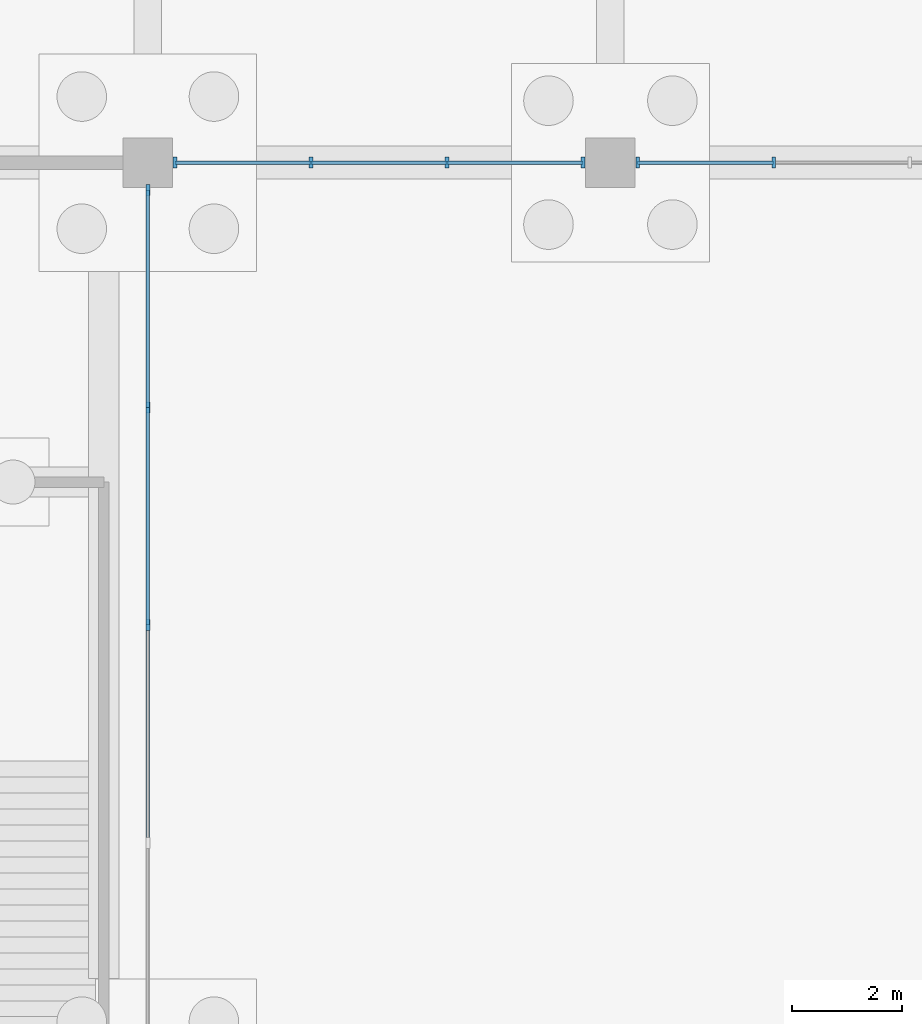
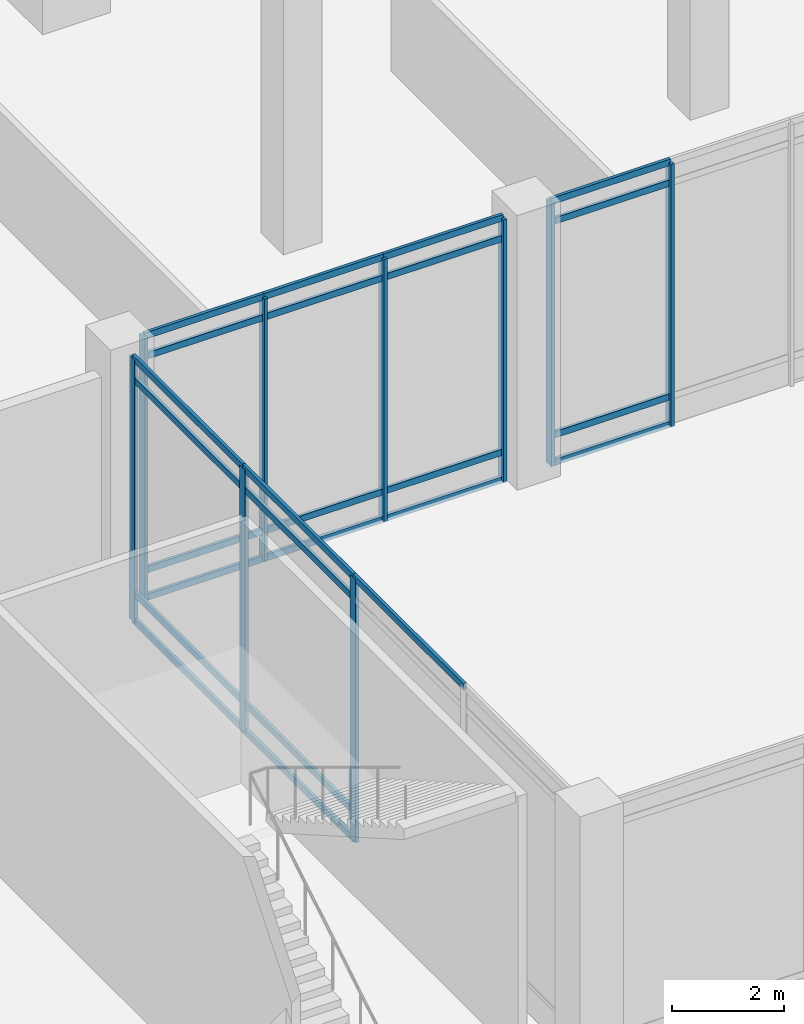
# One storey, part 17 of 72: 34 members, 3 elements without a shape of their own.
"""IFC4 building model written with IfcOpenShell, lengths in metres."""

from ifc_helpers import new_model, si_unit, direction, frame, origin, origin_2d, place, context, subcontext, project, spatial, rectangle, extrude, material, layer, layer_set, material_profile, profile_set, type_object, element, aggregate, save


model = new_model("IFC4")

# Units and contexts
model_context = context("Model", 3, precision=1e-05, world=origin(), true_north=direction((0.0, 1.0)))
body_context = subcontext(model_context, "Body", "Model", "MODEL_VIEW")
ifc_project = project(units=[si_unit("LENGTHUNIT", "METRE"), si_unit("AREAUNIT", "SQUARE_METRE"), si_unit("VOLUMEUNIT", "CUBIC_METRE"), si_unit("PLANEANGLEUNIT", "RADIAN"), si_unit("MASSUNIT", "GRAM", prefix="KILO")], contexts=[model_context])

# Site, building, storey
site_placement = place(None, origin())
site = spatial("IfcSite", under=ifc_project, at=site_placement, CompositionType="ELEMENT")
building_placement = place(site_placement, origin())
building = spatial("IfcBuilding", under=site, at=building_placement, Name="Qawsi Khor Wholesale Market", CompositionType="ELEMENT")
storey_placement = place(building_placement, origin())
storey = spatial("IfcBuildingStorey", under=building, at=storey_placement, Name="L00", CompositionType="ELEMENT", Elevation=0.0)

# Curtain wall, members
ifc_material = material(Name="Aluminium Anodised Bronze", Category="aluminium")
ifc_layer = layer(ifc_material, 0.179931640625, Name="Aluminium Anodised Bronze")
ifc_layer_set = layer_set([ifc_layer], Name="Aluminium Anodised Bronze")
curtain_wall_type = type_object("IfcCurtainWallType", Name="Atrium Full-Height Curtain Wall CW-02", PredefinedType="NOTDEFINED", material=ifc_layer_set)
curtain_wall_1_placement = place(storey_placement, origin())
curtain_wall_1 = element("IfcCurtainWall", 1, at=curtain_wall_1_placement, inside=storey, type_object=curtain_wall_type, Name="Curtain wall CW-CW-02-L00-012", PredefinedType="NOTDEFINED")
ifc_material_profile_1 = material_profile(ifc_material, rectangle(XDim=0.070068359375, YDim=0.199951171875, at=origin_2d()), Name="ALU MULLION 70x200")
ifc_profile_set_1 = profile_set([ifc_material_profile_1], Name="Aluminium Anodised Bronze")
member_type_1 = type_object("IfcMemberType", Name="Curtain Wall Mullion CW-02 ALU MULLION 70x200", PredefinedType="MULLION", material=ifc_profile_set_1)
member_1_placement = place(storey_placement, frame((50.89501953125, 42.0, -0.02001953125), z_axis=(0.0, 0.0, 1.0), x_axis=(1.0, 0.0, 0.0)))
member_1 = element("IfcMember", 2, at=member_1_placement, type_object=member_type_1, Name="Mullion CW-CW-02-L00-012-M00", PredefinedType="MULLION", context=body_context, shape_type="SweptSolid", body=[
    extrude(rectangle(XDim=0.070068359375, YDim=0.199951171875, at=origin_2d()), origin(), (0.0, 0.0, 1.0), 5.739990234375),
])
member_2_placement = place(storey_placement, frame((53.364990234375, 42.0, -0.02001953125), z_axis=(0.0, 0.0, 1.0), x_axis=(1.0, 0.0, 0.0)))
member_2 = element("IfcMember", 3, at=member_2_placement, type_object=member_type_1, Name="Mullion CW-CW-02-L00-012-M01", PredefinedType="MULLION", context=body_context, shape_type="SweptSolid", body=[
    extrude(rectangle(XDim=0.070068359375, YDim=0.199951171875, at=origin_2d()), origin(), (0.0, 0.0, 1.0), 5.739990234375),
])
member_3_placement = place(storey_placement, frame((55.8349609375, 42.0, -0.02001953125), z_axis=(0.0, 0.0, 1.0), x_axis=(1.0, 0.0, 0.0)))
member_3 = element("IfcMember", 4, at=member_3_placement, type_object=member_type_1, Name="Mullion CW-CW-02-L00-012-M02", PredefinedType="MULLION", context=body_context, shape_type="SweptSolid", body=[
    extrude(rectangle(XDim=0.070068359375, YDim=0.199951171875, at=origin_2d()), origin(), (0.0, 0.0, 1.0), 5.739990234375),
])
member_4_placement = place(storey_placement, frame((58.304931640625, 42.0, -0.02001953125), z_axis=(0.0, 0.0, 1.0), x_axis=(1.0, 0.0, 0.0)))
member_4 = element("IfcMember", 5, at=member_4_placement, type_object=member_type_1, Name="Mullion CW-CW-02-L00-012-M03", PredefinedType="MULLION", context=body_context, shape_type="SweptSolid", body=[
    extrude(rectangle(XDim=0.070068359375, YDim=0.199951171875, at=origin_2d()), origin(), (0.0, 0.0, 1.0), 5.739990234375),
])

curtain_wall_2_placement = place(storey_placement, origin())
curtain_wall_2 = element("IfcCurtainWall", 6, at=curtain_wall_2_placement, inside=storey, type_object=curtain_wall_type, Name="Curtain wall CW-CW-02-L00-013", PredefinedType="NOTDEFINED")
member_5_placement = place(storey_placement, frame((59.294921875, 42.0, -0.02001953125), z_axis=(0.0, 0.0, 1.0), x_axis=(1.0, 0.0, 0.0)))
member_5 = element("IfcMember", 7, at=member_5_placement, type_object=member_type_1, Name="Mullion CW-CW-02-L00-013-M00", PredefinedType="MULLION", context=body_context, shape_type="SweptSolid", body=[
    extrude(rectangle(XDim=0.070068359375, YDim=0.199951171875, at=origin_2d()), origin(), (0.0, 0.0, 1.0), 5.739990234375),
])
member_6_placement = place(storey_placement, frame((61.764892578125, 42.0, -0.02001953125), z_axis=(0.0, 0.0, 1.0), x_axis=(1.0, 0.0, 0.0)))
member_6 = element("IfcMember", 8, at=member_6_placement, type_object=member_type_1, Name="Mullion CW-CW-02-L00-013-M01", PredefinedType="MULLION", context=body_context, shape_type="SweptSolid", body=[
    extrude(rectangle(XDim=0.070068359375, YDim=0.199951171875, at=origin_2d()), origin(), (0.0, 0.0, 1.0), 5.739990234375),
])

curtain_wall_3_placement = place(storey_placement, origin())
curtain_wall_3 = element("IfcCurtainWall", 9, at=curtain_wall_3_placement, inside=storey, type_object=curtain_wall_type, Name="Curtain wall CW-CW-02-L00-014", PredefinedType="NOTDEFINED")
member_7_placement = place(storey_placement, frame((50.39990234375, 33.60009765625, -0.02001953125), z_axis=(0.0, 0.0, 1.0), x_axis=(1.0, 0.0, 0.0)))
member_7 = element("IfcMember", 10, at=member_7_placement, type_object=member_type_1, Name="Mullion CW-CW-02-L00-014-M02", PredefinedType="MULLION", context=body_context, shape_type="SweptSolid", body=[
    extrude(rectangle(XDim=0.070068359375, YDim=0.199951171875, at=origin_2d()), origin(), (0.0, 0.0, 1.0), 5.739990234375),
])
member_8_placement = place(storey_placement, frame((50.39990234375, 37.552490234375, -0.02001953125), z_axis=(0.0, 0.0, 1.0), x_axis=(1.0, 0.0, 0.0)))
member_8 = element("IfcMember", 11, at=member_8_placement, type_object=member_type_1, Name="Mullion CW-CW-02-L00-014-M03", PredefinedType="MULLION", context=body_context, shape_type="SweptSolid", body=[
    extrude(rectangle(XDim=0.070068359375, YDim=0.199951171875, at=origin_2d()), origin(), (0.0, 0.0, 1.0), 5.739990234375),
])
member_9_placement = place(storey_placement, frame((50.39990234375, 41.5048828125, -0.02001953125), z_axis=(0.0, 0.0, 1.0), x_axis=(1.0, 0.0, 0.0)))
member_9 = element("IfcMember", 12, at=member_9_placement, type_object=member_type_1, Name="Mullion CW-CW-02-L00-014-M04", PredefinedType="MULLION", context=body_context, shape_type="SweptSolid", body=[
    extrude(rectangle(XDim=0.070068359375, YDim=0.199951171875, at=origin_2d()), origin(), (0.0, 0.0, 1.0), 5.739990234375),
])

# Member
ifc_material_profile_2 = material_profile(ifc_material, rectangle(XDim=0.06494140625, YDim=0.139892578125, at=origin_2d()), Name="ALU TRANSOM 65x140")
ifc_profile_set_2 = profile_set([ifc_material_profile_2], Name="Aluminium Anodised Bronze")
member_type_2 = type_object("IfcMemberType", Name="Curtain Wall Transom CW-02 ALU TRANSOM 65x140", PredefinedType="USERDEFINED", material=ifc_profile_set_2)
member_10_placement = place(storey_placement, frame((50.89501953125, 42.0, 0.0), z_axis=(1.0, 0.0, 0.0), x_axis=(0.0, 1.0, 0.0)))
member_10 = element("IfcMember", 13, at=member_10_placement, type_object=member_type_2, Name="Transom CW-CW-02-L00-012-T0_00", ObjectType="TRANSOM", PredefinedType="USERDEFINED", context=body_context, shape_type="SweptSolid", body=[
    extrude(rectangle(XDim=0.06494140625, YDim=0.139892578125, at=origin_2d()), origin(), (0.0, 0.0, 1.0), 2.469970703125),
])

member_11_placement = place(storey_placement, frame((53.364990234375, 42.0, 0.0), z_axis=(1.0, 0.0, 0.0), x_axis=(0.0, 1.0, 0.0)))
member_11 = element("IfcMember", 14, at=member_11_placement, type_object=member_type_2, Name="Transom CW-CW-02-L00-012-T0_01", ObjectType="TRANSOM", PredefinedType="USERDEFINED", context=body_context, shape_type="SweptSolid", body=[
    extrude(rectangle(XDim=0.06494140625, YDim=0.139892578125, at=origin_2d()), origin(), (0.0, 0.0, 1.0), 2.469970703125),
])

member_12_placement = place(storey_placement, frame((55.8349609375, 42.0, 0.0), z_axis=(1.0, 0.0, 0.0), x_axis=(0.0, 1.0, 0.0)))
member_12 = element("IfcMember", 15, at=member_12_placement, type_object=member_type_2, Name="Transom CW-CW-02-L00-012-T0_02", ObjectType="TRANSOM", PredefinedType="USERDEFINED", context=body_context, shape_type="SweptSolid", body=[
    extrude(rectangle(XDim=0.06494140625, YDim=0.139892578125, at=origin_2d()), origin(), (0.0, 0.0, 1.0), 2.469970703125),
])

member_13_placement = place(storey_placement, frame((50.89501953125, 42.0, 0.60009765625), z_axis=(1.0, 0.0, 0.0), x_axis=(0.0, 1.0, 0.0)))
member_13 = element("IfcMember", 16, at=member_13_placement, type_object=member_type_2, Name="Transom CW-CW-02-L00-012-T1_00", ObjectType="TRANSOM", PredefinedType="USERDEFINED", context=body_context, shape_type="SweptSolid", body=[
    extrude(rectangle(XDim=0.06494140625, YDim=0.139892578125, at=origin_2d()), origin(), (0.0, 0.0, 1.0), 2.469970703125),
])

member_14_placement = place(storey_placement, frame((53.364990234375, 42.0, 0.60009765625), z_axis=(1.0, 0.0, 0.0), x_axis=(0.0, 1.0, 0.0)))
member_14 = element("IfcMember", 17, at=member_14_placement, type_object=member_type_2, Name="Transom CW-CW-02-L00-012-T1_01", ObjectType="TRANSOM", PredefinedType="USERDEFINED", context=body_context, shape_type="SweptSolid", body=[
    extrude(rectangle(XDim=0.06494140625, YDim=0.139892578125, at=origin_2d()), origin(), (0.0, 0.0, 1.0), 2.469970703125),
])

member_15_placement = place(storey_placement, frame((55.8349609375, 42.0, 0.60009765625), z_axis=(1.0, 0.0, 0.0), x_axis=(0.0, 1.0, 0.0)))
member_15 = element("IfcMember", 18, at=member_15_placement, type_object=member_type_2, Name="Transom CW-CW-02-L00-012-T1_02", ObjectType="TRANSOM", PredefinedType="USERDEFINED", context=body_context, shape_type="SweptSolid", body=[
    extrude(rectangle(XDim=0.06494140625, YDim=0.139892578125, at=origin_2d()), origin(), (0.0, 0.0, 1.0), 2.469970703125),
])

member_16_placement = place(storey_placement, frame((50.89501953125, 42.0, 5.27001953125), z_axis=(1.0, 0.0, 0.0), x_axis=(0.0, 1.0, 0.0)))
member_16 = element("IfcMember", 19, at=member_16_placement, type_object=member_type_2, Name="Transom CW-CW-02-L00-012-T2_00", ObjectType="TRANSOM", PredefinedType="USERDEFINED", context=body_context, shape_type="SweptSolid", body=[
    extrude(rectangle(XDim=0.06494140625, YDim=0.139892578125, at=origin_2d()), origin(), (0.0, 0.0, 1.0), 2.469970703125),
])

member_17_placement = place(storey_placement, frame((53.364990234375, 42.0, 5.27001953125), z_axis=(1.0, 0.0, 0.0), x_axis=(0.0, 1.0, 0.0)))
member_17 = element("IfcMember", 20, at=member_17_placement, type_object=member_type_2, Name="Transom CW-CW-02-L00-012-T2_01", ObjectType="TRANSOM", PredefinedType="USERDEFINED", context=body_context, shape_type="SweptSolid", body=[
    extrude(rectangle(XDim=0.06494140625, YDim=0.139892578125, at=origin_2d()), origin(), (0.0, 0.0, 1.0), 2.469970703125),
])

member_18_placement = place(storey_placement, frame((55.8349609375, 42.0, 5.27001953125), z_axis=(1.0, 0.0, 0.0), x_axis=(0.0, 1.0, 0.0)))
member_18 = element("IfcMember", 21, at=member_18_placement, type_object=member_type_2, Name="Transom CW-CW-02-L00-012-T2_02", ObjectType="TRANSOM", PredefinedType="USERDEFINED", context=body_context, shape_type="SweptSolid", body=[
    extrude(rectangle(XDim=0.06494140625, YDim=0.139892578125, at=origin_2d()), origin(), (0.0, 0.0, 1.0), 2.469970703125),
])

member_19_placement = place(storey_placement, frame((50.89501953125, 42.0, 5.719970703125), z_axis=(1.0, 0.0, 0.0), x_axis=(0.0, 1.0, 0.0)))
member_19 = element("IfcMember", 22, at=member_19_placement, type_object=member_type_2, Name="Transom CW-CW-02-L00-012-T3_00", ObjectType="TRANSOM", PredefinedType="USERDEFINED", context=body_context, shape_type="SweptSolid", body=[
    extrude(rectangle(XDim=0.06494140625, YDim=0.139892578125, at=origin_2d()), origin(), (0.0, 0.0, 1.0), 2.469970703125),
])

member_20_placement = place(storey_placement, frame((53.364990234375, 42.0, 5.719970703125), z_axis=(1.0, 0.0, 0.0), x_axis=(0.0, 1.0, 0.0)))
member_20 = element("IfcMember", 23, at=member_20_placement, type_object=member_type_2, Name="Transom CW-CW-02-L00-012-T3_01", ObjectType="TRANSOM", PredefinedType="USERDEFINED", context=body_context, shape_type="SweptSolid", body=[
    extrude(rectangle(XDim=0.06494140625, YDim=0.139892578125, at=origin_2d()), origin(), (0.0, 0.0, 1.0), 2.469970703125),
])

member_21_placement = place(storey_placement, frame((55.8349609375, 42.0, 5.719970703125), z_axis=(1.0, 0.0, 0.0), x_axis=(0.0, 1.0, 0.0)))
member_21 = element("IfcMember", 24, at=member_21_placement, type_object=member_type_2, Name="Transom CW-CW-02-L00-012-T3_02", ObjectType="TRANSOM", PredefinedType="USERDEFINED", context=body_context, shape_type="SweptSolid", body=[
    extrude(rectangle(XDim=0.06494140625, YDim=0.139892578125, at=origin_2d()), origin(), (0.0, 0.0, 1.0), 2.469970703125),
])

aggregate(curtain_wall_1, [member_1, member_2, member_3, member_4, member_10, member_11, member_12, member_13, member_14, member_15, member_16, member_17, member_18, member_19, member_20, member_21])

member_22_placement = place(storey_placement, frame((59.294921875, 42.0, 0.0), z_axis=(1.0, 0.0, 0.0), x_axis=(0.0, 1.0, 0.0)))
member_22 = element("IfcMember", 25, at=member_22_placement, type_object=member_type_2, Name="Transom CW-CW-02-L00-013-T0_00", ObjectType="TRANSOM", PredefinedType="USERDEFINED", context=body_context, shape_type="SweptSolid", body=[
    extrude(rectangle(XDim=0.06494140625, YDim=0.139892578125, at=origin_2d()), origin(), (0.0, 0.0, 1.0), 2.469970703125),
])

member_23_placement = place(storey_placement, frame((59.294921875, 42.0, 0.60009765625), z_axis=(1.0, 0.0, 0.0), x_axis=(0.0, 1.0, 0.0)))
member_23 = element("IfcMember", 26, at=member_23_placement, type_object=member_type_2, Name="Transom CW-CW-02-L00-013-T1_00", ObjectType="TRANSOM", PredefinedType="USERDEFINED", context=body_context, shape_type="SweptSolid", body=[
    extrude(rectangle(XDim=0.06494140625, YDim=0.139892578125, at=origin_2d()), origin(), (0.0, 0.0, 1.0), 2.469970703125),
])

member_24_placement = place(storey_placement, frame((59.294921875, 42.0, 5.27001953125), z_axis=(1.0, 0.0, 0.0), x_axis=(0.0, 1.0, 0.0)))
member_24 = element("IfcMember", 27, at=member_24_placement, type_object=member_type_2, Name="Transom CW-CW-02-L00-013-T2_00", ObjectType="TRANSOM", PredefinedType="USERDEFINED", context=body_context, shape_type="SweptSolid", body=[
    extrude(rectangle(XDim=0.06494140625, YDim=0.139892578125, at=origin_2d()), origin(), (0.0, 0.0, 1.0), 2.469970703125),
])

member_25_placement = place(storey_placement, frame((59.294921875, 42.0, 5.719970703125), z_axis=(1.0, 0.0, 0.0), x_axis=(0.0, 1.0, 0.0)))
member_25 = element("IfcMember", 28, at=member_25_placement, type_object=member_type_2, Name="Transom CW-CW-02-L00-013-T3_00", ObjectType="TRANSOM", PredefinedType="USERDEFINED", context=body_context, shape_type="SweptSolid", body=[
    extrude(rectangle(XDim=0.06494140625, YDim=0.139892578125, at=origin_2d()), origin(), (0.0, 0.0, 1.0), 2.469970703125),
])

aggregate(curtain_wall_2, [member_5, member_6, member_22, member_23, member_24, member_25])

member_26_placement = place(storey_placement, frame((50.39990234375, 33.60009765625, 0.0), z_axis=(0.0, 1.0, 0.0), x_axis=(-1.0, 0.0, 0.0)))
member_26 = element("IfcMember", 29, at=member_26_placement, type_object=member_type_2, Name="Transom CW-CW-02-L00-014-T0_02", ObjectType="TRANSOM", PredefinedType="USERDEFINED", context=body_context, shape_type="SweptSolid", body=[
    extrude(rectangle(XDim=0.06494140625, YDim=0.139892578125, at=origin_2d()), origin(), (0.0, 0.0, 1.0), 3.952392578125),
])

member_27_placement = place(storey_placement, frame((50.39990234375, 37.552490234375, 0.0), z_axis=(0.0, 1.0, 0.0), x_axis=(-1.0, 0.0, 0.0)))
member_27 = element("IfcMember", 30, at=member_27_placement, type_object=member_type_2, Name="Transom CW-CW-02-L00-014-T0_03", ObjectType="TRANSOM", PredefinedType="USERDEFINED", context=body_context, shape_type="SweptSolid", body=[
    extrude(rectangle(XDim=0.06494140625, YDim=0.139892578125, at=origin_2d()), origin(), (0.0, 0.0, 1.0), 3.952392578125),
])

member_28_placement = place(storey_placement, frame((50.39990234375, 33.60009765625, 0.60009765625), z_axis=(0.0, 1.0, 0.0), x_axis=(-1.0, 0.0, 0.0)))
member_28 = element("IfcMember", 31, at=member_28_placement, type_object=member_type_2, Name="Transom CW-CW-02-L00-014-T1_02", ObjectType="TRANSOM", PredefinedType="USERDEFINED", context=body_context, shape_type="SweptSolid", body=[
    extrude(rectangle(XDim=0.06494140625, YDim=0.139892578125, at=origin_2d()), origin(), (0.0, 0.0, 1.0), 3.952392578125),
])

member_29_placement = place(storey_placement, frame((50.39990234375, 37.552490234375, 0.60009765625), z_axis=(0.0, 1.0, 0.0), x_axis=(-1.0, 0.0, 0.0)))
member_29 = element("IfcMember", 32, at=member_29_placement, type_object=member_type_2, Name="Transom CW-CW-02-L00-014-T1_03", ObjectType="TRANSOM", PredefinedType="USERDEFINED", context=body_context, shape_type="SweptSolid", body=[
    extrude(rectangle(XDim=0.06494140625, YDim=0.139892578125, at=origin_2d()), origin(), (0.0, 0.0, 1.0), 3.952392578125),
])

member_30_placement = place(storey_placement, frame((50.39990234375, 33.60009765625, 5.27001953125), z_axis=(0.0, 1.0, 0.0), x_axis=(-1.0, 0.0, 0.0)))
member_30 = element("IfcMember", 33, at=member_30_placement, type_object=member_type_2, Name="Transom CW-CW-02-L00-014-T2_02", ObjectType="TRANSOM", PredefinedType="USERDEFINED", context=body_context, shape_type="SweptSolid", body=[
    extrude(rectangle(XDim=0.06494140625, YDim=0.139892578125, at=origin_2d()), origin(), (0.0, 0.0, 1.0), 3.952392578125),
])

member_31_placement = place(storey_placement, frame((50.39990234375, 37.552490234375, 5.27001953125), z_axis=(0.0, 1.0, 0.0), x_axis=(-1.0, 0.0, 0.0)))
member_31 = element("IfcMember", 34, at=member_31_placement, type_object=member_type_2, Name="Transom CW-CW-02-L00-014-T2_03", ObjectType="TRANSOM", PredefinedType="USERDEFINED", context=body_context, shape_type="SweptSolid", body=[
    extrude(rectangle(XDim=0.06494140625, YDim=0.139892578125, at=origin_2d()), origin(), (0.0, 0.0, 1.0), 3.952392578125),
])

member_32_placement = place(storey_placement, frame((50.39990234375, 29.6474609375, 5.719970703125), z_axis=(0.0, 1.0, 0.0), x_axis=(-1.0, 0.0, 0.0)))
member_32 = element("IfcMember", 35, at=member_32_placement, type_object=member_type_2, Name="Transom CW-CW-02-L00-014-T3_01", ObjectType="TRANSOM", PredefinedType="USERDEFINED", context=body_context, shape_type="SweptSolid", body=[
    extrude(rectangle(XDim=0.06494140625, YDim=0.139892578125, at=origin_2d()), origin(), (0.0, 0.0, 1.0), 3.95263671875),
])

member_33_placement = place(storey_placement, frame((50.39990234375, 33.60009765625, 5.719970703125), z_axis=(0.0, 1.0, 0.0), x_axis=(-1.0, 0.0, 0.0)))
member_33 = element("IfcMember", 36, at=member_33_placement, type_object=member_type_2, Name="Transom CW-CW-02-L00-014-T3_02", ObjectType="TRANSOM", PredefinedType="USERDEFINED", context=body_context, shape_type="SweptSolid", body=[
    extrude(rectangle(XDim=0.06494140625, YDim=0.139892578125, at=origin_2d()), origin(), (0.0, 0.0, 1.0), 3.952392578125),
])

member_34_placement = place(storey_placement, frame((50.39990234375, 37.552490234375, 5.719970703125), z_axis=(0.0, 1.0, 0.0), x_axis=(-1.0, 0.0, 0.0)))
member_34 = element("IfcMember", 37, at=member_34_placement, type_object=member_type_2, Name="Transom CW-CW-02-L00-014-T3_03", ObjectType="TRANSOM", PredefinedType="USERDEFINED", context=body_context, shape_type="SweptSolid", body=[
    extrude(rectangle(XDim=0.06494140625, YDim=0.139892578125, at=origin_2d()), origin(), (0.0, 0.0, 1.0), 3.952392578125),
])

aggregate(curtain_wall_3, [member_7, member_8, member_9, member_26, member_27, member_28, member_29, member_30, member_31, member_32, member_33, member_34])

save(model, "model.ifc")
